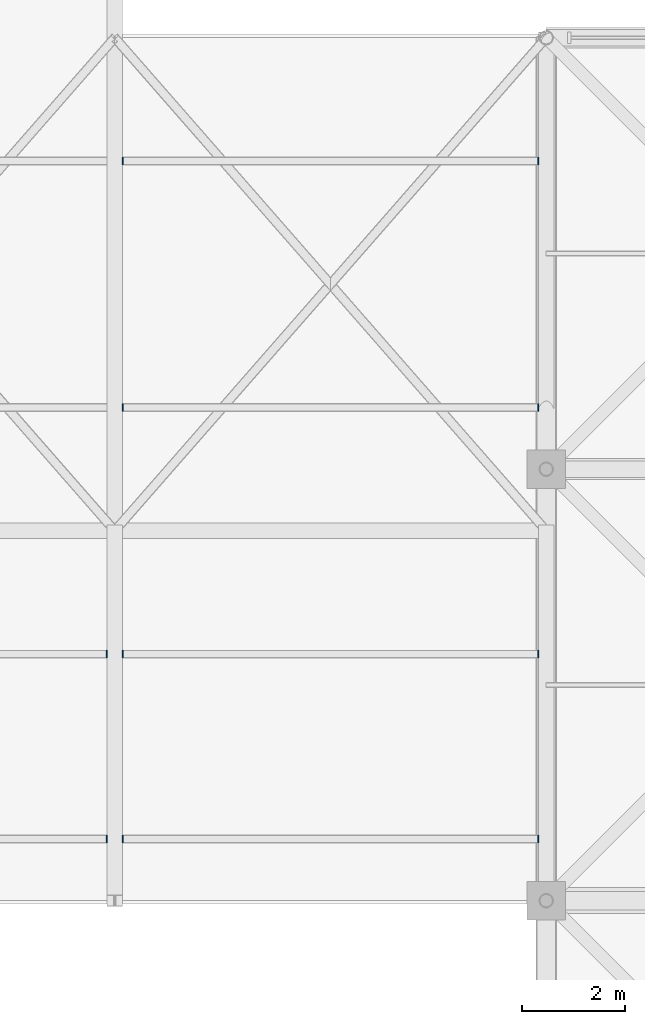
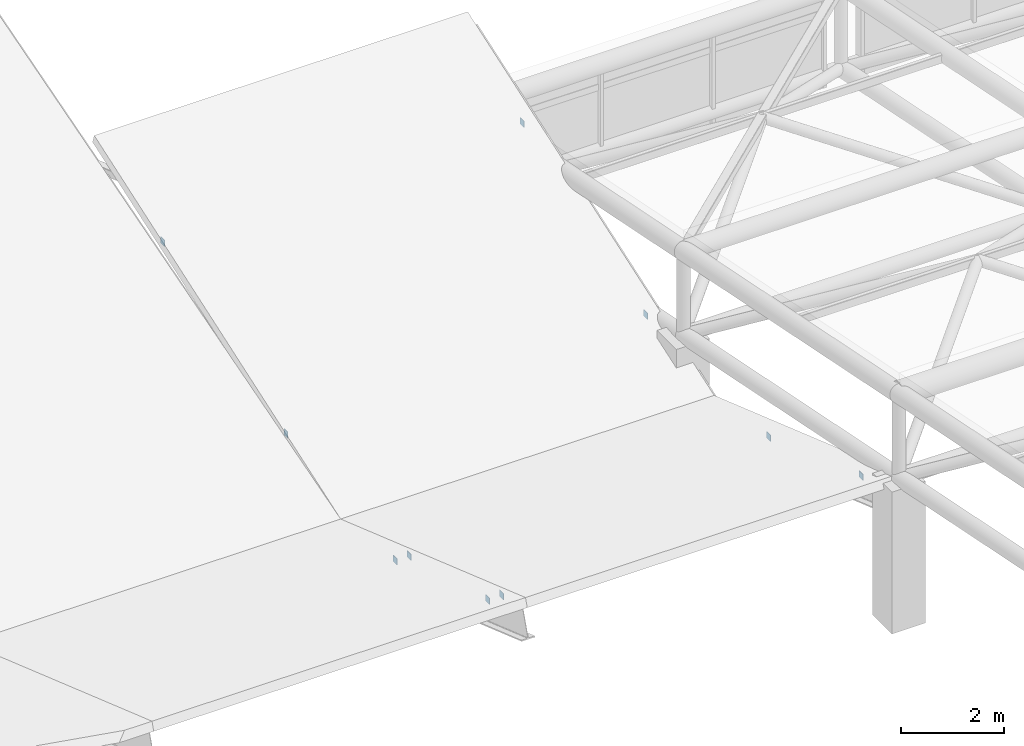
# One storey, part 107 of 110: 10 discrete accessories.
"""IFC4 building model written with IfcOpenShell, lengths in metres."""

from ifc_helpers import new_model, si_unit, direction, frame, origin, origin_2d, place, context, subcontext, project, spatial, rectangle, extrude, material, type_object, element, save


model = new_model("IFC4")

# Units and contexts
model_context = context("Model", 3, precision=1e-05, world=origin(), true_north=direction((0.0, 1.0)))
body_context = subcontext(model_context, "Body", "Model", "MODEL_VIEW")
ifc_project = project(units=[si_unit("LENGTHUNIT", "METRE"), si_unit("AREAUNIT", "SQUARE_METRE"), si_unit("VOLUMEUNIT", "CUBIC_METRE"), si_unit("PLANEANGLEUNIT", "RADIAN"), si_unit("MASSUNIT", "GRAM", prefix="KILO")], contexts=[model_context])

# Site, building, storey
site_placement = place(None, origin())
site = spatial("IfcSite", under=ifc_project, at=site_placement, CompositionType="ELEMENT")
building_placement = place(site_placement, origin())
building = spatial("IfcBuilding", under=site, at=building_placement, Name="Qawsi Khor Wholesale Market", CompositionType="ELEMENT")
storey_placement = place(building_placement, frame((0.0, 0.0, 11.39990234375)))
storey = spatial("IfcBuildingStorey", under=building, at=storey_placement, Name="L02", CompositionType="ELEMENT", Elevation=11.39990234375)

# Discrete accessories
ifc_material = material(Name="Steel S355", Category="steel")
discrete_accessory_type = type_object("IfcDiscreteAccessoryType", Name="Purlin End Cleat Plate 12 S355", PredefinedType="BRACKET", material=ifc_material)
for number, where, z_axis, x_axis, name in (
    (1, (134.243896484375, 93.60009765625, 2.658447265625), (0.0, 0.0, 1.0), (1.0, 0.0, 0.0), "Auction roof purlin 16-1 end cleat E"),
    (2, (134.243896484375, 97.199951171875, 1.408447265625), (0.0, 0.0, 1.0), (1.0, 0.0, 0.0), "Auction roof purlin 16-2 end cleat E"),
    (3, (134.555908203125, 93.60009765625, 2.658447265625), (0.0, 0.0, 1.0), (1.0, 0.0, 0.0), "Auction roof purlin 17-1 end cleat W"),
    (4, (142.64404296875, 93.60009765625, 2.658447265625), (0.0, 0.0, 1.0), (1.0, 0.0, 0.0), "Auction roof purlin 17-1 end cleat E"),
    (5, (134.555908203125, 97.199951171875, 1.408447265625), (0.0, 0.0, 1.0), (1.0, 0.0, 0.0), "Auction roof purlin 17-2 end cleat W"),
    (6, (142.64404296875, 97.199951171875, 1.408447265625), (0.0, 0.0, 1.0), (1.0, 0.0, 0.0), "Auction roof purlin 17-2 end cleat E"),
    (7, (134.555908203125, 102.0, 1.400146484375), (0.0, 0.0, 1.0), (1.0, 0.0, 0.0), "Auction roof purlin 17-3 end cleat W"),
    (8, (142.64404296875, 102.0, 1.400146484375), (0.0, 0.0, 1.0), (1.0, 0.0, 0.0), "Auction roof purlin 17-3 end cleat E"),
    (9, (134.555908203125, 106.800048828125, 3.050048828125), (0.0, 0.0, 1.0), (1.0, 0.0, 0.0), "Auction roof purlin 17-4 end cleat W"),
    (10, (142.64404296875, 106.800048828125, 3.050048828125), (0.0, 0.0, 1.0), (1.0, 0.0, 0.0), "Auction roof purlin 17-4 end cleat E"),
):
    element("IfcDiscreteAccessory", number, at=place(storey_placement, frame(where, z_axis=z_axis, x_axis=x_axis)), inside=storey, type_object=discrete_accessory_type, Name=name, PredefinedType="BRACKET", context=body_context, shape_type="SweptSolid", body=[
        extrude(rectangle(XDim=0.011962890625, YDim=0.14990234375, at=origin_2d()), origin(), (0.0, 0.0, 1.0), 0.14990234375),
    ])

save(model, "model.ifc")
